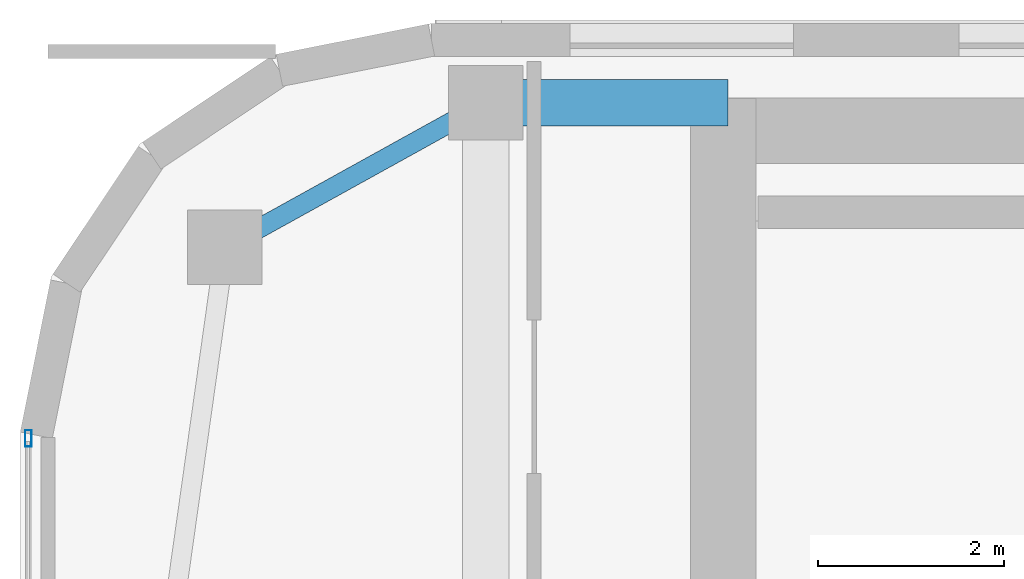
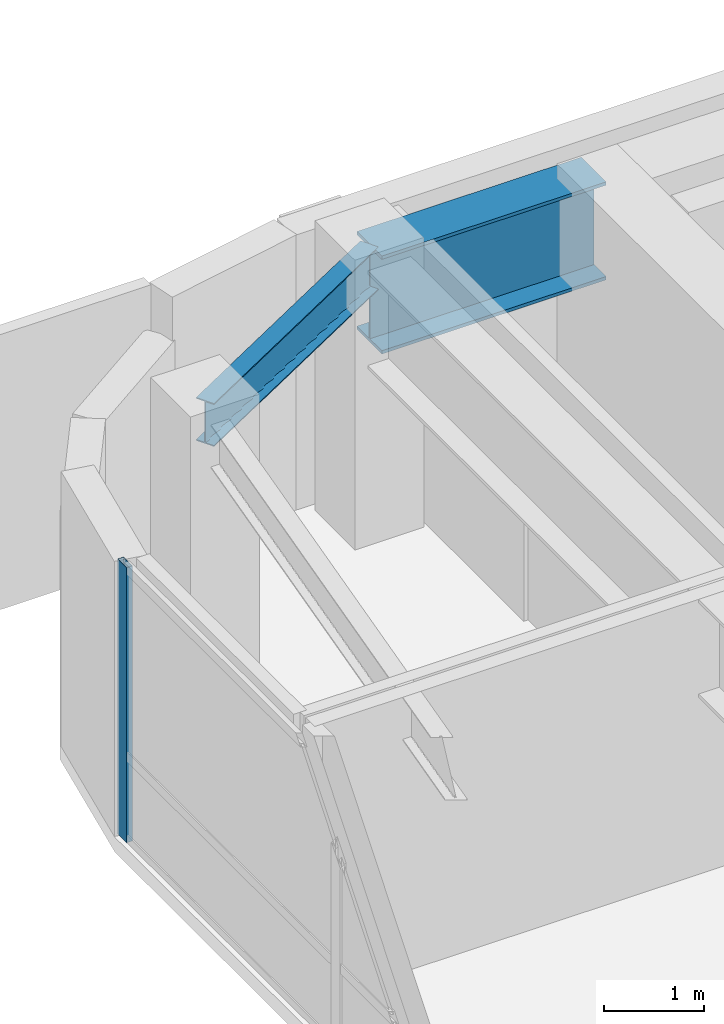
# One storey, part 15 of 28: 2 beams, 1 member, 1 element without a shape of its own.
"""IFC4 building model written with IfcOpenShell, lengths in metres."""

from ifc_helpers import new_model, si_unit, direction, frame, origin, origin_2d, place, context, subcontext, project, spatial, hollow_rectangle, i_section, extrude, source, transform, mapped, material, layer, layer_set, material_profile, profile_set, type_object, type_shapes, element, aggregate, save


model = new_model("IFC4")

# Units and contexts
model_context = context("Model", 3, precision=1e-05, world=origin(), true_north=direction((0.0, 1.0)))
body_context = subcontext(model_context, "Body", "Model", "MODEL_VIEW")
ifc_project = project(units=[si_unit("LENGTHUNIT", "METRE"), si_unit("AREAUNIT", "SQUARE_METRE"), si_unit("VOLUMEUNIT", "CUBIC_METRE"), si_unit("PLANEANGLEUNIT", "RADIAN"), si_unit("MASSUNIT", "GRAM", prefix="KILO")], contexts=[model_context])

# Site, building, storey
site_placement = place(None, origin())
site = spatial("IfcSite", under=ifc_project, at=site_placement, CompositionType="ELEMENT")
building_placement = place(site_placement, origin())
building = spatial("IfcBuilding", under=site, at=building_placement, Name="Tolvann Quenvar Hotel", CompositionType="ELEMENT")
storey_placement = place(building_placement, frame((0.0, 0.0, 198.199951171875)))
storey = spatial("IfcBuildingStorey", under=building, at=storey_placement, Name="L52", CompositionType="ELEMENT", Elevation=198.199951171875)

# Beams
ifc_material_1 = material(Name="Steel Grade 350", Category="steel")
ifc_material_profile_1 = material_profile(ifc_material_1, i_section(OverallWidth=0.5, OverallDepth=1.199951171875, WebThickness=0.01611328125, FlangeThickness=0.0400390625, at=origin_2d()), Name="1200WB455")
ifc_profile_set_1 = profile_set([ifc_material_profile_1], Name="Steel Grade 350")
beam_type_1 = type_object("IfcBeamType", Name="BM_TG_1200WB455", PredefinedType="USERDEFINED", material=ifc_profile_set_1)
shared_shape_1 = source(origin(), body_context, "Body", "SweptSolid", [
    extrude(i_section(OverallWidth=0.5, OverallDepth=1.199951171875, WebThickness=0.01611328125, FlangeThickness=0.0400390625, at=origin_2d()), origin(), (0.0, 0.0, 1.0), 2.599853515625),
])
type_shapes(beam_type_1, [shared_shape_1])
beam_1_placement = place(storey_placement, frame((7.60009765625, 45.14990234375, 2.77001953125), z_axis=(1.0, 0.0, 0.0), x_axis=(0.0, 1.0, 0.0)))
element("IfcBeam", 1, at=beam_1_placement, inside=storey, type_object=beam_type_1, Name="BM-L52-CTW-CN", ObjectType="TRANSFER GIRDER", PredefinedType="USERDEFINED", context=body_context, shape_type="MappedRepresentation", body=[
    mapped(shared_shape_1, transform((0.0, 0.0, 0.0), x_axis=(1.0, 0.0, 0.0), y_axis=(0.0, 1.0, 0.0), z_axis=(0.0, 0.0, 1.0), scale=1.0)),
])
ifc_material_profile_2 = material_profile(ifc_material_1, i_section(OverallWidth=0.208984375, OverallDepth=0.528076171875, WebThickness=0.009521484375, FlangeThickness=0.01318359375, FilletRadius=0.013916015625, at=origin_2d()), Name="530UB82")
ifc_profile_set_2 = profile_set([ifc_material_profile_2], Name="Steel Grade 350")
beam_type_2 = type_object("IfcBeamType", Name="BM_SPAND_530UB82", PredefinedType="SPANDREL", material=ifc_profile_set_2)
shared_shape_2 = source(origin(), body_context, "Body", "SweptSolid", [
    extrude(i_section(OverallWidth=0.208984375, OverallDepth=0.528076171875, WebThickness=0.009521484375, FlangeThickness=0.01318359375, FilletRadius=0.013916015625, at=origin_2d()), origin(), (0.0, 0.0, 1.0), 3.200439453125),
])
type_shapes(beam_type_2, [shared_shape_2])
beam_2_placement = place(storey_placement, frame((4.800048828125, 43.60009765625, 3.10595703125), z_axis=(0.87492264453, 0.48426270359, 0.0), x_axis=(-0.48426270359, 0.87492264453, 0.0)))
element("IfcBeam", 2, at=beam_2_placement, inside=storey, type_object=beam_type_2, Name="BM-L52-FLK-W3", PredefinedType="SPANDREL", context=body_context, shape_type="MappedRepresentation", body=[
    mapped(shared_shape_2, transform((0.0, 0.0, 0.0), x_axis=(1.0, 0.0, 0.0), y_axis=(0.0, 1.0, 0.0), z_axis=(0.0, 0.0, 1.0), scale=1.0)),
])

# Curtain wall, member
ifc_material_2 = material(Name="Thermally broken anodised architectural aluminium 6063-T6 and laminated low-E glass", Category="aluminium")
ifc_layer = layer(ifc_material_2, 0.179931640625)
ifc_layer_set = layer_set([ifc_layer], Name="Thermally broken anodised architectural aluminium 6063-T6 and laminated low-E glass")
curtain_wall_type = type_object("IfcCurtainWallType", Name="CW_SYS_BAND_04", PredefinedType="USERDEFINED", material=ifc_layer_set)
curtain_wall_placement = place(storey_placement, origin())
curtain_wall = element("IfcCurtainWall", 3, at=curtain_wall_placement, inside=storey, type_object=curtain_wall_type, Name="Curtain Wall CW-BAND-04 (CWR-L52-E23)", ObjectType="UNITISED CURTAIN WALL", PredefinedType="USERDEFINED")
ifc_material_3 = material(Name="Anodised architectural aluminium 6063-T6 framing", Category="aluminium")
ifc_material_profile_3 = material_profile(ifc_material_3, hollow_rectangle(XDim=0.070068359375, YDim=0.179931640625, WallThickness=0.00390625, at=origin_2d()), Name="180x70x4RHS")
ifc_profile_set_3 = profile_set([ifc_material_profile_3], Name="Anodised architectural aluminium 6063-T6 framing")
member_type = type_object("IfcMemberType", Name="CW_MULL_180x70", PredefinedType="MULLION", material=ifc_profile_set_3)
shared_shape_3 = source(origin(), body_context, "Body", "SweptSolid", [
    extrude(hollow_rectangle(XDim=0.070068359375, YDim=0.179931640625, WallThickness=0.00390625, at=origin_2d()), origin(), (0.0, 0.0, 1.0), 3.3701171875),
])
type_shapes(member_type, [shared_shape_3])
member_placement = place(storey_placement, frame((2.68994140625, 41.5478515625, 0.0), z_axis=(0.0, 0.0, 1.0), x_axis=(1.0, 0.0, 0.0)))
member = element("IfcMember", 4, at=member_placement, type_object=member_type, Name="CW-BAND-04 mullion 1", PredefinedType="MULLION", context=body_context, shape_type="MappedRepresentation", body=[
    mapped(shared_shape_3, transform((0.0, 0.0, 0.0), x_axis=(1.0, 0.0, 0.0), y_axis=(0.0, 1.0, 0.0), z_axis=(0.0, 0.0, 1.0), scale=1.0)),
])
aggregate(curtain_wall, [member])

save(model, "model.ifc")
